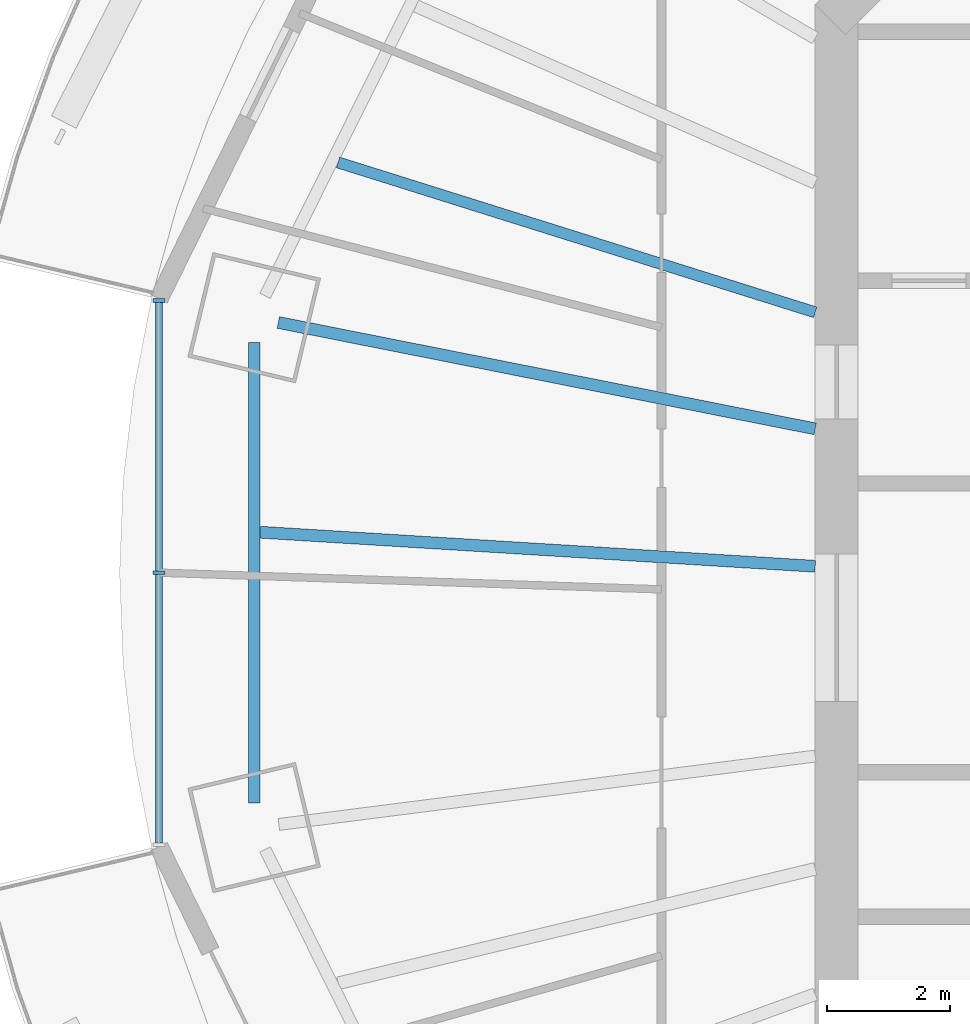
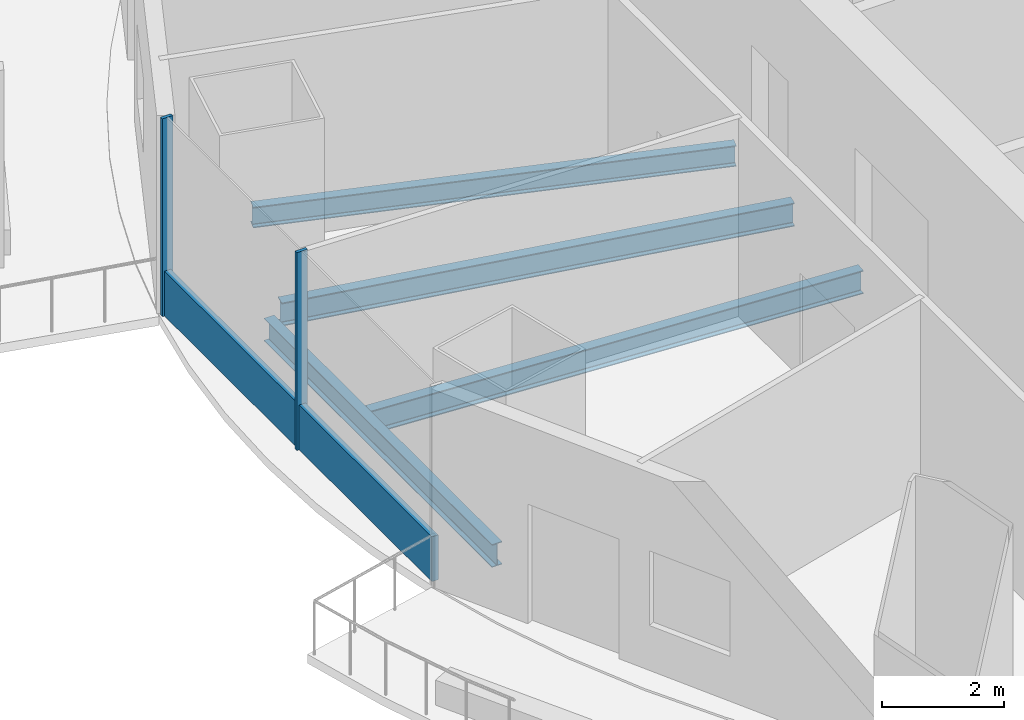
# One storey, part 3 of 16: 4 beams, 3 members, 1 element without a shape of its own.
"""IFC4 building model written with IfcOpenShell, lengths in metres."""

from ifc_helpers import new_model, si_unit, direction, frame, origin, origin_2d, place, context, subcontext, project, spatial, rectangle, i_section, extrude, material, material_profile, profile_set, type_object, element, aggregate, save


model = new_model("IFC4")

# Units and contexts
model_context = context("Model", 3, precision=1e-05, world=origin(), true_north=direction((0.0, 1.0)))
body_context = subcontext(model_context, "Body", "Model", "MODEL_VIEW")
ifc_project = project(units=[si_unit("LENGTHUNIT", "METRE"), si_unit("AREAUNIT", "SQUARE_METRE"), si_unit("VOLUMEUNIT", "CUBIC_METRE"), si_unit("PLANEANGLEUNIT", "RADIAN"), si_unit("MASSUNIT", "GRAM", prefix="KILO")], contexts=[model_context])

# Site, building, storey
site_placement = place(None, origin())
site = spatial("IfcSite", under=ifc_project, at=site_placement, CompositionType="ELEMENT")
building_placement = place(site_placement, origin())
building = spatial("IfcBuilding", under=site, at=building_placement, Name="Marenthal Gate Tower", CompositionType="ELEMENT")
storey_placement = place(building_placement, frame((0.0, 0.0, 334.300048828125)))
storey = spatial("IfcBuildingStorey", under=building, at=storey_placement, Name="L75", CompositionType="ELEMENT", Elevation=334.300048828125)

# Curtain wall, members
ifc_material_1 = material(Name="Aluminium and glass", Category="aluminium")
curtain_wall_type = type_object("IfcCurtainWallType", Name="Curtain wall typical high", PredefinedType="NOTDEFINED", material=ifc_material_1)
curtain_wall_placement = place(storey_placement, origin())
curtain_wall = element("IfcCurtainWall", 1, at=curtain_wall_placement, inside=storey, type_object=curtain_wall_type, Name="Curtain wall L75 bay 8", PredefinedType="NOTDEFINED")
ifc_material_2 = material(Name="Aluminium", Category="aluminium")
ifc_material_profile_1 = material_profile(ifc_material_2, rectangle(XDim=0.199951171875, YDim=0.06005859375, at=origin_2d()), Name="60x200 aluminium mullion")
ifc_profile_set_1 = profile_set([ifc_material_profile_1], Name="Aluminium")
member_type_1 = type_object("IfcMemberType", Name="Mullion 60x200 typical high", PredefinedType="MULLION", material=ifc_profile_set_1)
member_1_placement = place(storey_placement, frame((-27.02734375, 5.326416015625, 0.0), z_axis=(0.0, 0.0, 1.0), x_axis=(1.0, 0.0, 0.0)))
member_1 = element("IfcMember", 2, at=member_1_placement, type_object=member_type_1, Name="Mullion L75 bay 8.1", PredefinedType="MULLION", context=body_context, shape_type="SweptSolid", body=[
    extrude(rectangle(XDim=0.199951171875, YDim=0.06005859375, at=origin_2d()), origin(), (0.0, 0.0, 1.0), 3.969970703125),
])
member_2_placement = place(storey_placement, frame((-27.02734375, 0.89990234375, 0.0), z_axis=(0.0, 0.0, 1.0), x_axis=(1.0, 0.0, 0.0)))
member_2 = element("IfcMember", 3, at=member_2_placement, type_object=member_type_1, Name="Mullion L75 bay 8.2", PredefinedType="MULLION", context=body_context, shape_type="SweptSolid", body=[
    extrude(rectangle(XDim=0.199951171875, YDim=0.06005859375, at=origin_2d()), origin(), (0.0, 0.0, 1.0), 3.969970703125),
])
ifc_material_3 = material(Name="Aluminium", Category="aluminium")
ifc_material_profile_2 = material_profile(ifc_material_3, rectangle(XDim=0.1201171875, YDim=0.89990234375, at=origin_2d()), Name="120x900 aluminium transom")
ifc_profile_set_2 = profile_set([ifc_material_profile_2], Name="Aluminium")
member_type_2 = type_object("IfcMemberType", Name="Transom 120x900 typical high", PredefinedType="USERDEFINED", material=ifc_profile_set_2)
member_3_placement = place(storey_placement, frame((-27.02734375, 5.29638671875, 0.449951171875), z_axis=(0.0, -1.0, 0.0), x_axis=(1.0, 0.0, 0.0)))
member_3 = element("IfcMember", 4, at=member_3_placement, type_object=member_type_2, Name="Transom L75 bay 8", ObjectType="TRANSOM", PredefinedType="USERDEFINED", context=body_context, shape_type="SweptSolid", body=[
    extrude(rectangle(XDim=0.1201171875, YDim=0.89990234375, at=origin_2d()), origin(), (0.0, 0.0, 1.0), 8.792724609375),
])
aggregate(curtain_wall, [member_1, member_2, member_3])

# Beams
ifc_material_4 = material(Name="Steel S355", Category="steel")
ifc_material_profile_3 = material_profile(ifc_material_4, i_section(OverallWidth=0.180908203125, OverallDepth=0.4169921875, WebThickness=0.010986328125, FlangeThickness=0.018310546875, FilletRadius=0.01025390625, at=origin_2d()), Name="W410X85")
ifc_profile_set_3 = profile_set([ifc_material_profile_3], Name="Steel S355")
beam_type_1 = type_object("IfcBeamType", Name="W410X85 beam", PredefinedType="BEAM", material=ifc_profile_set_3)
beam_1_placement = place(storey_placement, frame((-24.11279296875, 7.573974609375, -0.388427734375), z_axis=(0.954036864189, -0.299689275365, 0.0), x_axis=(0.299689275365, 0.954036864189, 0.0)))
element("IfcBeam", 5, at=beam_1_placement, inside=storey, type_object=beam_type_1, Name="BM-L75-27", PredefinedType="BEAM", context=body_context, shape_type="SweptSolid", body=[
    extrude(i_section(OverallWidth=0.180908203125, OverallDepth=0.4169921875, WebThickness=0.010986328125, FlangeThickness=0.018310546875, FilletRadius=0.01025390625, at=origin_2d()), origin(), (0.0, 0.0, 1.0), 8.13671875),
])
ifc_material_5 = material(Name="Steel S355", Category="steel")
ifc_material_profile_4 = material_profile(ifc_material_5, i_section(OverallWidth=0.19091796875, OverallDepth=0.45703125, WebThickness=0.009033203125, FlangeThickness=0.014404296875, FilletRadius=0.01025390625, at=origin_2d()), Name="W460X74")
ifc_profile_set_4 = profile_set([ifc_material_profile_4], Name="Steel S355")
beam_type_2 = type_object("IfcBeamType", Name="W460X74 beam", PredefinedType="BEAM", material=ifc_profile_set_4)
beam_2_placement = place(storey_placement, frame((-25.477783203125, 4.648193359375, -0.408447265625), z_axis=(0.0, -1.0, 0.0), x_axis=(1.0, 0.0, 0.0)))
element("IfcBeam", 6, at=beam_2_placement, inside=storey, type_object=beam_type_2, Name="BM-L75-48", PredefinedType="BEAM", context=body_context, shape_type="SweptSolid", body=[
    extrude(i_section(OverallWidth=0.19091796875, OverallDepth=0.45703125, WebThickness=0.009033203125, FlangeThickness=0.014404296875, FilletRadius=0.01025390625, at=origin_2d()), origin(), (0.0, 0.0, 1.0), 7.49658203125),
])
ifc_material_6 = material(Name="Steel S355", Category="steel")
ifc_material_profile_5 = material_profile(ifc_material_6, i_section(OverallWidth=0.193115234375, OverallDepth=0.467041015625, WebThickness=0.011474609375, FlangeThickness=0.01904296875, FilletRadius=0.010009765625, at=origin_2d()), Name="W460X97")
ifc_profile_set_5 = profile_set([ifc_material_profile_5], Name="Steel S355")
beam_type_3 = type_object("IfcBeamType", Name="W460X97 beam", PredefinedType="BEAM", material=ifc_profile_set_5)
beam_3_placement = place(storey_placement, frame((-25.084716796875, 4.97021484375, -0.41357421875), z_axis=(0.980929218316, -0.19436529694, 0.0), x_axis=(0.19436529694, 0.980929218316, 0.0)))
element("IfcBeam", 7, at=beam_3_placement, inside=storey, type_object=beam_type_3, Name="BM-L75-08", PredefinedType="BEAM", context=body_context, shape_type="SweptSolid", body=[
    extrude(i_section(OverallWidth=0.193115234375, OverallDepth=0.467041015625, WebThickness=0.011474609375, FlangeThickness=0.01904296875, FilletRadius=0.010009765625, at=origin_2d()), origin(), (0.0, 0.0, 1.0), 8.904541015625),
])
beam_4_placement = place(storey_placement, frame((-25.382080078125, 1.557861328125, -0.41357421875), z_axis=(0.998121146567, -0.061271337312, 0.0), x_axis=(0.061271337312, 0.998121146567, 0.0)))
element("IfcBeam", 8, at=beam_4_placement, inside=storey, type_object=beam_type_3, Name="BM-L75-28", PredefinedType="BEAM", context=body_context, shape_type="SweptSolid", body=[
    extrude(i_section(OverallWidth=0.193115234375, OverallDepth=0.467041015625, WebThickness=0.011474609375, FlangeThickness=0.01904296875, FilletRadius=0.010009765625, at=origin_2d()), origin(), (0.0, 0.0, 1.0), 9.049072265625),
])

save(model, "model.ifc")
